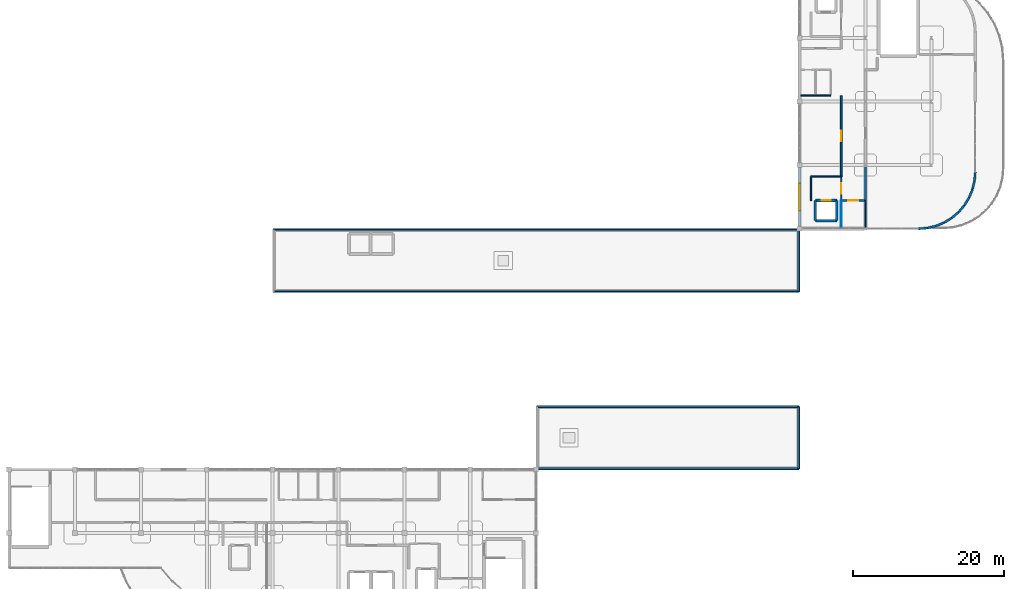
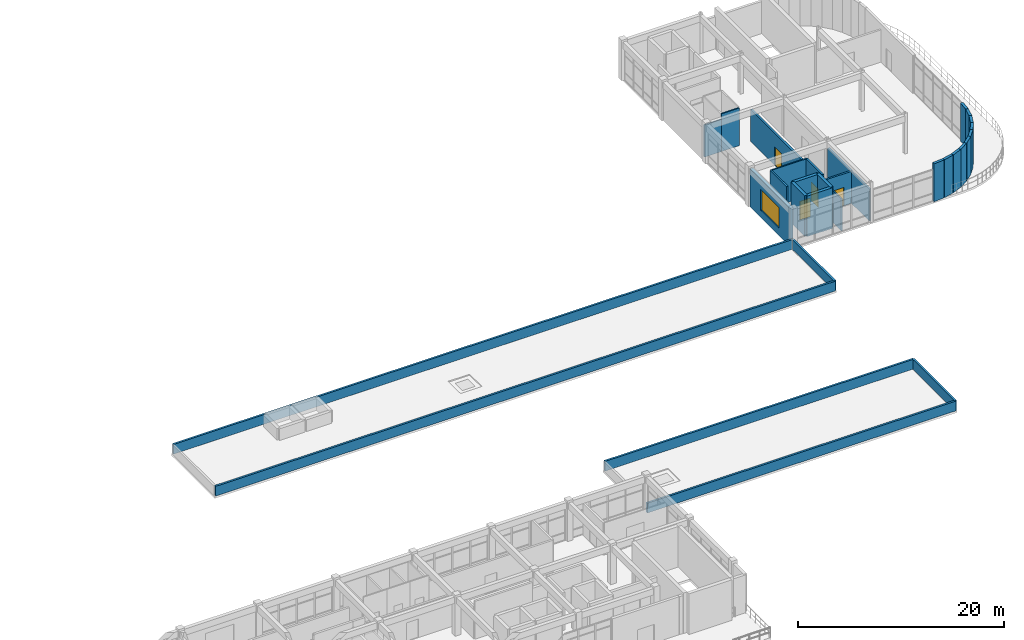
# One storey, part 38 of 41: 31 walls, 4 doors, 1 window, 5 openings.
"""IFC4 building model written with IfcOpenShell, lengths in metres."""

from ifc_helpers import new_model, si_unit, derived_unit, direction, frame, frame_2d, origin, place, context, subcontext, project, spatial, rectangle, extrude, material, layer, layer_set, type_object, element, fill, save


model = new_model("IFC4")

# Units and contexts
model_context = context("Model", 3, precision=1e-05, world=origin(), true_north=direction((0.0, 1.0)))
body_context = subcontext(model_context, "Body", "Model", "MODEL_VIEW")
ifc_project = project(units=[si_unit("LENGTHUNIT", "METRE"), si_unit("AREAUNIT", "SQUARE_METRE"), si_unit("VOLUMEUNIT", "CUBIC_METRE"), si_unit("PLANEANGLEUNIT", "RADIAN"), si_unit("MASSUNIT", "GRAM", prefix="KILO"), derived_unit("THERMALTRANSMITTANCEUNIT", [(si_unit("MASSUNIT", "GRAM", prefix="KILO"), 1), (si_unit("TIMEUNIT", "SECOND"), -3), (si_unit("THERMODYNAMICTEMPERATUREUNIT", "KELVIN"), -1)])], contexts=[model_context])

# Site, building, storey
site_placement = place(None, origin())
site = spatial("IfcSite", under=ifc_project, at=site_placement, CompositionType="ELEMENT")
building_placement = place(site_placement, origin())
building = spatial("IfcBuilding", under=site, at=building_placement, Name="Qinzheling Arcade Emporium", CompositionType="ELEMENT")
storey_placement = place(building_placement, frame((0.0, 0.0, 36.300048828125)))
storey = spatial("IfcBuildingStorey", under=building, at=storey_placement, Name="L08", CompositionType="ELEMENT", Elevation=36.300048828125)

# Wall, opening, door
ifc_material_1 = material(Name="Double-stud acoustic gypsum board partition")
ifc_layer_1 = layer(ifc_material_1, 0.215087890625, Name="Double-stud acoustic gypsum board partition")
ifc_layer_set_1 = layer_set([ifc_layer_1], Name="Double-stud acoustic gypsum board partition")
wall_type_1 = type_object("IfcWallType", Name="Acoustic Corridor Partition Wall 215", PredefinedType="PARTITIONING", material=ifc_layer_set_1)
wall_1_placement = place(storey_placement, frame((109.89990234375, 80.699951171875, 0.0), z_axis=(0.0, 0.0, 1.0), x_axis=(0.0, -1.0, 0.0)))
wall_1 = element("IfcWall", 1, at=wall_1_placement, inside=storey, type_object=wall_type_1, Name="Interior Wall WL-L08-INT-0977", PredefinedType="PARTITIONING", context=body_context, shape_type="SweptSolid", body=[
    extrude(rectangle(XDim=3.169921875, YDim=0.215087890625, at=frame_2d((1.5849609375, 0.0))), origin(), (0.0, 0.0, 1.0), 4.4599609375),
])
opening_1_placement = place(wall_1_placement, frame((0.909912109375, 0.0, 0.0)))
opening_1 = element("IfcOpeningElement", 2, at=opening_1_placement, cuts=wall_1, Name="Opening FD05", PredefinedType="OPENING", context=body_context, shape_type="SweptSolid", body=[
    extrude(rectangle(XDim=1.35009765625, YDim=2.199951171875, at=frame_2d((0.675048828125, 1.10009765625))), frame((0.0, 0.11767578125, 0.0), z_axis=(0.0, -1.0, 0.0), x_axis=(1.0, 0.0, 0.0)), (0.0, 0.0, 1.0), 0.235107421875),
])
ifc_material_2 = material(Name="Class B fire-rated stainless-clad door")
door_type_1 = type_object("IfcDoorType", Name="Kitchen Fire-Rated Service Door 1350x2200", OperationType="NOTDEFINED", PredefinedType="DOOR", material=ifc_material_2)
door_1_placement = place(opening_1_placement, origin())
door_1 = element("IfcDoor", 3, at=door_1_placement, inside=storey, type_object=door_type_1, Name="FD05 Interior Door DR-L08-INT-0288", OperationType="SINGLE_SWING_RIGHT", OverallHeight=2.199951171875, OverallWidth=1.35009765625, PredefinedType="DOOR", context=body_context, shape_type="SweptSolid", body=[
    extrude(rectangle(XDim=1.35009765625, YDim=2.199951171875, at=frame_2d((0.675048828125, 1.10009765625))), frame((0.0, 0.02490234375, 0.0), z_axis=(0.0, -1.0, 0.0), x_axis=(1.0, 0.0, 0.0)), (0.0, 0.0, 1.0), 0.050048828125),
])
fill(opening_1, door_1)

wall_2_placement = place(storey_placement, frame((109.89990234375, 80.699951171875, 0.0), z_axis=(0.0, 0.0, 1.0), x_axis=(0.0, 1.0, 0.0)))
wall_2 = element("IfcWall", 4, at=wall_2_placement, inside=storey, type_object=wall_type_1, Name="Interior Wall WL-L08-INT-0991", PredefinedType="PARTITIONING", context=body_context, shape_type="SweptSolid", body=[
    extrude(rectangle(XDim=10.699951171875, YDim=0.215087890625, at=frame_2d((5.35009765625, 0.0))), origin(), (0.0, 0.0, 1.0), 3.800048828125),
])
opening_2_placement = place(wall_2_placement, frame((4.675048828125, 0.0, 0.0)))
opening_2 = element("IfcOpeningElement", 5, at=opening_2_placement, cuts=wall_2, Name="Opening FD05", PredefinedType="OPENING", context=body_context, shape_type="SweptSolid", body=[
    extrude(rectangle(XDim=1.35009765625, YDim=2.199951171875, at=frame_2d((0.675048828125, 1.10009765625))), frame((0.0, 0.11767578125, 0.0), z_axis=(0.0, -1.0, 0.0), x_axis=(1.0, 0.0, 0.0)), (0.0, 0.0, 1.0), 0.235107421875),
])
door_2_placement = place(opening_2_placement, origin())
door_2 = element("IfcDoor", 6, at=door_2_placement, inside=storey, type_object=door_type_1, Name="FD05 Interior Door DR-L08-INT-0300", OperationType="SINGLE_SWING_LEFT", OverallHeight=2.199951171875, OverallWidth=1.35009765625, PredefinedType="DOOR", context=body_context, shape_type="SweptSolid", body=[
    extrude(rectangle(XDim=1.35009765625, YDim=2.199951171875, at=frame_2d((0.675048828125, 1.10009765625))), frame((0.0, 0.02490234375, 0.0), z_axis=(0.0, -1.0, 0.0), x_axis=(1.0, 0.0, 0.0)), (0.0, 0.0, 1.0), 0.050048828125),
])
fill(opening_2, door_2)

# Wall
wall_3_placement = place(storey_placement, frame((113.10009765625, 81.989990234375, 0.0), z_axis=(0.0, 0.0, 1.0), x_axis=(0.0, -1.0, 0.0)))
element("IfcWall", 7, at=wall_3_placement, inside=storey, type_object=wall_type_1, Name="Interior Wall WL-L08-INT-0996", PredefinedType="PARTITIONING", context=body_context, shape_type="SweptSolid", body=[
    extrude(rectangle(XDim=4.4599609375, YDim=0.215087890625, at=frame_2d((2.22998046875, 0.0))), origin(), (0.0, 0.0, 1.0), 3.800048828125),
])

# Wall, opening, door
wall_4_placement = place(storey_placement, frame((113.10009765625, 77.530029296875, 0.0), z_axis=(0.0, 0.0, 1.0), x_axis=(-1.0, 0.0, 0.0)))
wall_4 = element("IfcWall", 8, at=wall_4_placement, inside=storey, type_object=wall_type_1, Name="Interior Wall WL-L08-INT-0997", PredefinedType="PARTITIONING", context=body_context, shape_type="SweptSolid", body=[
    extrude(rectangle(XDim=3.2001953125, YDim=0.215087890625, at=frame_2d((1.60009765625, 0.0))), origin(), (0.0, 0.0, 1.0), 3.800048828125),
])
opening_3_placement = place(wall_4_placement, frame((0.925048828125, 0.0, 0.0)))
opening_3 = element("IfcOpeningElement", 9, at=opening_3_placement, cuts=wall_4, Name="Opening FD05", PredefinedType="OPENING", context=body_context, shape_type="SweptSolid", body=[
    extrude(rectangle(XDim=1.35009765625, YDim=2.199951171875, at=frame_2d((0.675048828125, 1.10009765625))), frame((0.0, 0.11767578125, 0.0), z_axis=(0.0, -1.0, 0.0), x_axis=(1.0, 0.0, 0.0)), (0.0, 0.0, 1.0), 0.235107421875),
])
door_3_placement = place(opening_3_placement, origin())
door_3 = element("IfcDoor", 10, at=door_3_placement, inside=storey, type_object=door_type_1, Name="FD05 Interior Door DR-L08-INT-0303", OperationType="SINGLE_SWING_RIGHT", OverallHeight=2.199951171875, OverallWidth=1.35009765625, PredefinedType="DOOR", context=body_context, shape_type="SweptSolid", body=[
    extrude(rectangle(XDim=1.35009765625, YDim=2.199951171875, at=frame_2d((0.675048828125, 1.10009765625))), frame((0.0, 0.02490234375, 0.0), z_axis=(0.0, -1.0, 0.0), x_axis=(1.0, 0.0, 0.0)), (0.0, 0.0, 1.0), 0.050048828125),
])
fill(opening_3, door_3)

# Wall, opening, window
ifc_material_3 = material(Name="Fluted granite ashlar on Concrete C40", Category="masonry")
ifc_layer_2 = layer(ifc_material_3, 0.35009765625, Name="Fluted granite ashlar on Concrete C40", Category="masonry")
ifc_layer_set_2 = layer_set([ifc_layer_2], Name="Fluted granite ashlar on Concrete C40")
wall_type_2 = type_object("IfcWallType", Name="Fluted Granite Logistics Wall 350", PredefinedType="STANDARD", material=ifc_layer_set_2)
wall_5_placement = place(storey_placement, frame((104.39990234375, 74.126953125, 0.0), z_axis=(0.0, 0.0, 1.0), x_axis=(0.0, 1.0, 0.0)))
wall_5 = element("IfcWall", 11, at=wall_5_placement, inside=storey, type_object=wall_type_2, Name="Exterior Wall WL-L08-EW-0381", PredefinedType="STANDARD", context=body_context, shape_type="SweptSolid", body=[
    extrude(rectangle(XDim=7.74609375, YDim=0.35009765625, at=frame_2d((3.873046875, 0.0))), origin(), (0.0, 0.0, 1.0), 4.489990234375),
])
opening_4_placement = place(wall_5_placement, frame((2.072998046875, 0.0, 0.85009765625)))
opening_4 = element("IfcOpeningElement", 12, at=opening_4_placement, cuts=wall_5, Name="Opening WN25", PredefinedType="OPENING", context=body_context, shape_type="SweptSolid", body=[
    extrude(rectangle(XDim=3.60009765625, YDim=2.449951171875, at=frame_2d((1.800048828125, 1.22509765625))), frame((0.0, 0.18505859375, 0.0), z_axis=(0.0, -1.0, 0.0), x_axis=(1.0, 0.0, 0.0)), (0.0, 0.0, 1.0), 0.3701171875),
])
ifc_material_4 = material(Name="Thermally broken aluminium frame with solar-control double glazing", Category="aluminium")
window_type = type_object("IfcWindowType", Name="Chicago Tripartite Window 3600x2450", PartitioningType="TRIPLE_PANEL_VERTICAL", PredefinedType="WINDOW", material=ifc_material_4)
window_placement = place(opening_4_placement, origin())
window = element("IfcWindow", 13, at=window_placement, inside=storey, type_object=window_type, Name="WN25 Window WN-L08-0088", OverallHeight=2.449951171875, OverallWidth=3.60009765625, PartitioningType="TRIPLE_PANEL_VERTICAL", PredefinedType="WINDOW", context=body_context, shape_type="SweptSolid", body=[
    extrude(rectangle(XDim=3.60009765625, YDim=2.449951171875, at=frame_2d((1.800048828125, 1.22509765625))), frame((0.0, 0.030029296875, 0.0), z_axis=(0.0, -1.0, 0.0), x_axis=(1.0, 0.0, 0.0)), (0.0, 0.0, 1.0), 0.06005859375),
])
fill(opening_4, window)

# Walls
ifc_material_5 = material(Name="Buff glazed terracotta insulated wall", Category="masonry")
ifc_layer_3 = layer(ifc_material_5, 0.2900390625, Name="Buff glazed terracotta insulated wall", Category="masonry")
ifc_layer_set_3 = layer_set([ifc_layer_3], Name="Buff glazed terracotta insulated wall")
wall_type_3 = type_object("IfcWallType", Name="Office Bar Terracotta Wall 290", PredefinedType="STANDARD", material=ifc_layer_set_3)
wall_6_placement = place(storey_placement, frame((127.60009765625, 81.300048828125, 0.0), z_axis=(0.0, 0.0, 1.0), x_axis=(-0.078219548677, -0.996936157537, 0.0)))
element("IfcWall", 14, at=wall_6_placement, inside=storey, type_object=wall_type_3, Name="Exterior Wall WL-L08-EW-0371", PredefinedType="STANDARD", context=body_context, shape_type="SweptSolid", body=[
    extrude(rectangle(XDim=1.1767578125, YDim=0.2900390625, at=frame_2d((0.58837890625, 0.0))), origin(), (0.0, 0.0, 1.0), 4.489990234375),
])
wall_7_placement = place(storey_placement, frame((127.508056640625, 80.126953125, 0.0), z_axis=(0.0, 0.0, 1.0), x_axis=(-0.233647380769, -0.972321398232, 0.0)))
element("IfcWall", 15, at=wall_7_placement, inside=storey, type_object=wall_type_3, Name="Exterior Wall WL-L08-EW-0372", PredefinedType="STANDARD", context=body_context, shape_type="SweptSolid", body=[
    extrude(rectangle(XDim=1.177734375, YDim=0.2900390625, at=frame_2d((0.5888671875, 0.0))), origin(), (0.0, 0.0, 1.0), 4.489990234375),
])
wall_8_placement = place(storey_placement, frame((127.23291015625, 78.98193359375, 0.0), z_axis=(0.0, 0.0, 1.0), x_axis=(-0.382492324111, -0.923958668987, 0.0)))
element("IfcWall", 16, at=wall_8_placement, inside=storey, type_object=wall_type_3, Name="Exterior Wall WL-L08-EW-0373", PredefinedType="STANDARD", context=body_context, shape_type="SweptSolid", body=[
    extrude(rectangle(XDim=1.17626953125, YDim=0.2900390625, at=frame_2d((0.588134765625, 0.0))), origin(), (0.0, 0.0, 1.0), 4.489990234375),
])
wall_9_placement = place(storey_placement, frame((126.782958984375, 77.89501953125, 0.0), z_axis=(0.0, 0.0, 1.0), x_axis=(-0.522742095508, -0.852490880646, 0.0)))
element("IfcWall", 17, at=wall_9_placement, inside=storey, type_object=wall_type_3, Name="Exterior Wall WL-L08-EW-0374", PredefinedType="STANDARD", context=body_context, shape_type="SweptSolid", body=[
    extrude(rectangle(XDim=1.176513671875, YDim=0.2900390625, at=frame_2d((0.58837890625, 0.0))), origin(), (0.0, 0.0, 1.0), 4.489990234375),
])
wall_10_placement = place(storey_placement, frame((126.16796875, 76.89208984375, 0.0), z_axis=(0.0, 0.0, 1.0), x_axis=(-0.649680654867, -0.760207239305, 0.0)))
element("IfcWall", 18, at=wall_10_placement, inside=storey, type_object=wall_type_3, Name="Exterior Wall WL-L08-EW-0375", PredefinedType="STANDARD", context=body_context, shape_type="SweptSolid", body=[
    extrude(rectangle(XDim=1.17724609375, YDim=0.2900390625, at=frame_2d((0.588623046875, 0.0))), origin(), (0.0, 0.0, 1.0), 4.489990234375),
])
wall_11_placement = place(storey_placement, frame((125.403076171875, 75.9970703125, 0.0), z_axis=(0.0, 0.0, 1.0), x_axis=(-0.760104826794, -0.649800471133, 0.0)))
element("IfcWall", 19, at=wall_11_placement, inside=storey, type_object=wall_type_3, Name="Exterior Wall WL-L08-EW-0376", PredefinedType="STANDARD", context=body_context, shape_type="SweptSolid", body=[
    extrude(rectangle(XDim=1.177490234375, YDim=0.2900390625, at=frame_2d((0.5888671875, 0.0))), origin(), (0.0, 0.0, 1.0), 4.489990234375),
])
wall_12_placement = place(storey_placement, frame((124.508056640625, 75.23193359375, 0.0), z_axis=(0.0, 0.0, 1.0), x_axis=(-0.852547572286, -0.522649631197, 0.0)))
element("IfcWall", 20, at=wall_12_placement, inside=storey, type_object=wall_type_3, Name="Exterior Wall WL-L08-EW-0377", PredefinedType="STANDARD", context=body_context, shape_type="SweptSolid", body=[
    extrude(rectangle(XDim=1.1767578125, YDim=0.2900390625, at=frame_2d((0.58837890625, 0.0))), origin(), (0.0, 0.0, 1.0), 4.489990234375),
])
wall_13_placement = place(storey_placement, frame((123.5048828125, 74.616943359375, 0.0), z_axis=(0.0, 0.0, 1.0), x_axis=(-0.923958668987, -0.382492324111, 0.0)))
element("IfcWall", 21, at=wall_13_placement, inside=storey, type_object=wall_type_3, Name="Exterior Wall WL-L08-EW-0378", PredefinedType="STANDARD", context=body_context, shape_type="SweptSolid", body=[
    extrude(rectangle(XDim=1.17626953125, YDim=0.2900390625, at=frame_2d((0.588134765625, 0.0))), origin(), (0.0, 0.0, 1.0), 4.489990234375),
])
wall_14_placement = place(storey_placement, frame((122.41796875, 74.1669921875, 0.0), z_axis=(0.0, 0.0, 1.0), x_axis=(-0.97236847933, -0.233451366253, 0.0)))
element("IfcWall", 22, at=wall_14_placement, inside=storey, type_object=wall_type_3, Name="Exterior Wall WL-L08-EW-0379", PredefinedType="STANDARD", context=body_context, shape_type="SweptSolid", body=[
    extrude(rectangle(XDim=1.177490234375, YDim=0.2900390625, at=frame_2d((0.5888671875, 0.0))), origin(), (0.0, 0.0, 1.0), 4.489990234375),
])
wall_15_placement = place(storey_placement, frame((121.27294921875, 73.89208984375, 0.0), z_axis=(0.0, 0.0, 1.0), x_axis=(-0.996934887725, -0.078235731197, 0.0)))
element("IfcWall", 23, at=wall_15_placement, inside=storey, type_object=wall_type_3, Name="Exterior Wall WL-L08-EW-0380", PredefinedType="STANDARD", context=body_context, shape_type="SweptSolid", body=[
    extrude(rectangle(XDim=1.176513671875, YDim=0.2900390625, at=frame_2d((0.58837890625, 0.0))), origin(), (0.0, 0.0, 1.0), 4.489990234375),
])
ifc_material_6 = material(Name="Moisture-resistant shaftliner gypsum board")
ifc_layer_4 = layer(ifc_material_6, 0.155029296875, Name="Moisture-resistant shaftliner gypsum board")
ifc_layer_set_4 = layer_set([ifc_layer_4], Name="Moisture-resistant shaftliner gypsum board")
wall_type_4 = type_object("IfcWallType", Name="Plumbing and Service Riser Wall 155", PredefinedType="MOVABLE", material=ifc_layer_set_4)
wall_16_placement = place(storey_placement, frame((106.5, 91.39990234375, 0.0), z_axis=(0.0, 0.0, 1.0), x_axis=(-1.0, 0.0, 0.0)))
element("IfcWall", 24, at=wall_16_placement, inside=storey, type_object=wall_type_4, Name="Interior Wall WL-L08-INT-0988", PredefinedType="MOVABLE", context=body_context, shape_type="SweptSolid", body=[
    extrude(rectangle(XDim=1.919921875, YDim=0.155029296875, at=frame_2d((0.9599609375, 0.0))), origin(), (0.0, 0.0, 1.0), 3.800048828125),
])

# Wall, opening, door
ifc_material_7 = material(Name="Concrete C40", Category="concrete")
ifc_layer_5 = layer(ifc_material_7, 0.35009765625, Name="Concrete C40", Category="concrete")
ifc_layer_set_5 = layer_set([ifc_layer_5], Name="Concrete C40")
wall_type_5 = type_object("IfcWallType", Name="RC Lift Shaft Shear Wall 350 C40", PredefinedType="SHEAR", material=ifc_layer_set_5)
wall_17_placement = place(storey_placement, frame((106.47509765625, 77.52490234375, 0.0), z_axis=(0.0, 0.0, 1.0), x_axis=(1.0, 0.0, 0.0)))
wall_17 = element("IfcWall", 25, at=wall_17_placement, inside=storey, type_object=wall_type_5, Name="Lift Shaft Wall WL-L08-LFT-LP06-N", PredefinedType="SHEAR", context=body_context, shape_type="SweptSolid", body=[
    extrude(rectangle(XDim=2.849853515625, YDim=0.35009765625, at=frame_2d((1.4248046875, 0.0))), origin(), (0.0, 0.0, 1.0), 4.800048828125),
])
opening_5_placement = place(wall_17_placement, frame((0.824951171875, 0.0, 0.0)))
opening_5 = element("IfcOpeningElement", 26, at=opening_5_placement, cuts=wall_17, Name="Opening LD02", PredefinedType="OPENING", context=body_context, shape_type="SweptSolid", body=[
    extrude(rectangle(XDim=1.199951171875, YDim=2.199951171875, at=frame_2d((0.60009765625, 1.10009765625))), frame((0.0, 0.18505859375, 0.0), z_axis=(0.0, -1.0, 0.0), x_axis=(1.0, 0.0, 0.0)), (0.0, 0.0, 1.0), 0.3701171875),
])
ifc_material_8 = material(Name="Brushed bronze stainless sliding lift door")
door_type_2 = type_object("IfcDoorType", Name="Passenger Lift Sliding Landing Door 1200x2200", OperationType="DOUBLE_DOOR_SLIDING", PredefinedType="DOOR", material=ifc_material_8)
door_4_placement = place(opening_5_placement, origin())
door_4 = element("IfcDoor", 27, at=door_4_placement, inside=storey, type_object=door_type_2, Name="LD02 Lift Landing Door LP06 L08", OperationType="DOUBLE_DOOR_SLIDING", OverallHeight=2.199951171875, OverallWidth=1.199951171875, PredefinedType="DOOR", context=body_context, shape_type="SweptSolid", body=[
    extrude(rectangle(XDim=1.199951171875, YDim=2.199951171875, at=frame_2d((0.60009765625, 1.10009765625))), frame((0.0, 0.02490234375, 0.0), z_axis=(0.0, -1.0, 0.0), x_axis=(1.0, 0.0, 0.0)), (0.0, 0.0, 1.0), 0.050048828125),
])
fill(opening_5, door_4)

# Walls
wall_18_placement = place(storey_placement, frame((109.324951171875, 74.875, 0.0), z_axis=(0.0, 0.0, 1.0), x_axis=(-1.0, 0.0, 0.0)))
element("IfcWall", 28, at=wall_18_placement, inside=storey, type_object=wall_type_5, Name="Lift Shaft Wall WL-L08-LFT-LP06-S", PredefinedType="SHEAR", context=body_context, shape_type="SweptSolid", body=[
    extrude(rectangle(XDim=2.849853515625, YDim=0.35009765625, at=frame_2d((1.4248046875, 0.0))), origin(), (0.0, 0.0, 1.0), 4.800048828125),
])
for number, where, z_axis, x_axis, name in (
    (29, (106.47509765625, 74.875, 0.0), (0.0, 0.0, 1.0), (0.0, 1.0, 0.0), "Lift Shaft Wall WL-L08-LFT-LP06-W"),
    (30, (109.324951171875, 77.52490234375, 0.0), (0.0, 0.0, 1.0), (0.0, -1.0, 0.0), "Lift Shaft Wall WL-L08-LFT-LP06-E"),
):
    element("IfcWall", number, at=place(storey_placement, frame(where, z_axis=z_axis, x_axis=x_axis)), inside=storey, type_object=wall_type_5, Name=name, PredefinedType="SHEAR", context=body_context, shape_type="SweptSolid", body=[
        extrude(rectangle(XDim=2.64990234375, YDim=0.35009765625, at=frame_2d((1.324951171875, 0.0))), origin(), (0.0, 0.0, 1.0), 4.800048828125),
    ])
ifc_material_9 = material(Name="Double-board salon partition")
ifc_layer_6 = layer(ifc_material_9, 0.175048828125, Name="Double-board salon partition")
ifc_layer_set_6 = layer_set([ifc_layer_6], Name="Double-board salon partition")
wall_type_6 = type_object("IfcWallType", Name="Salon Acoustic Partition Wall 175", PredefinedType="PARTITIONING", material=ifc_layer_set_6)
wall_19_placement = place(storey_placement, frame((105.89990234375, 77.530029296875, 0.0), z_axis=(0.0, 0.0, 1.0), x_axis=(0.0, 1.0, 0.0)))
element("IfcWall", 31, at=wall_19_placement, inside=storey, type_object=wall_type_6, Name="Interior Wall WL-L08-INT-0978", PredefinedType="PARTITIONING", context=body_context, shape_type="SweptSolid", body=[
    extrude(rectangle(XDim=3.169921875, YDim=0.175048828125, at=frame_2d((1.5849609375, 0.0))), origin(), (0.0, 0.0, 1.0), 4.4599609375),
])
ifc_material_10 = material(Name="Steel-stud showroom partition", Category="steel")
ifc_layer_7 = layer(ifc_material_10, 0.159912109375, Name="Steel-stud showroom partition", Category="steel")
ifc_layer_set_7 = layer_set([ifc_layer_7], Name="Steel-stud showroom partition")
wall_type_7 = type_object("IfcWallType", Name="Showroom Partition Wall 160", PredefinedType="PARTITIONING", material=ifc_layer_set_7)
wall_20_placement = place(storey_placement, frame((105.89990234375, 80.699951171875, 0.0), z_axis=(0.0, 0.0, 1.0), x_axis=(1.0, 0.0, 0.0)))
element("IfcWall", 32, at=wall_20_placement, inside=storey, type_object=wall_type_7, Name="Interior Wall WL-L08-INT-0979", PredefinedType="PARTITIONING", context=body_context, shape_type="SweptSolid", body=[
    extrude(rectangle(XDim=4.0, YDim=0.159912109375, at=frame_2d((2.0, 0.0))), origin(), (0.0, 0.0, 1.0), 4.4599609375),
])
wall_21_placement = place(storey_placement, frame((113.10009765625, 73.9599609375, 0.0), z_axis=(0.0, 0.0, 1.0), x_axis=(0.0, 1.0, 0.0)))
element("IfcWall", 33, at=wall_21_placement, inside=storey, type_object=wall_type_7, Name="Interior Wall WL-L08-INT-1017", PredefinedType="PARTITIONING", context=body_context, shape_type="SweptSolid", body=[
    extrude(rectangle(XDim=3.570068359375, YDim=0.159912109375, at=frame_2d((1.78515625, 0.0))), origin(), (0.0, 0.0, 1.0), 3.800048828125),
])
ifc_material_11 = material(Name="Galvanised steel-stud stockroom partition", Category="steel")
ifc_layer_8 = layer(ifc_material_11, 0.114990234375, Name="Galvanised steel-stud stockroom partition", Category="steel")
ifc_layer_set_8 = layer_set([ifc_layer_8], Name="Galvanised steel-stud stockroom partition")
wall_type_8 = type_object("IfcWallType", Name="Storage Cage Partition Wall 115", PredefinedType="PARTITIONING", material=ifc_layer_set_8)
wall_22_placement = place(storey_placement, frame((109.89990234375, 77.530029296875, 0.0), z_axis=(0.0, 0.0, 1.0), x_axis=(0.0, -1.0, 0.0)))
element("IfcWall", 34, at=wall_22_placement, inside=storey, type_object=wall_type_8, Name="Interior Wall WL-L08-INT-1015", PredefinedType="PARTITIONING", context=body_context, shape_type="SweptSolid", body=[
    extrude(rectangle(XDim=3.630126953125, YDim=0.114990234375, at=frame_2d((1.81494140625, 0.0))), origin(), (0.0, 0.0, 1.0), 3.800048828125),
])
ifc_material_12 = material(Name="Precast concrete C40 with terracotta coping", Category="masonry")
ifc_layer_9 = layer(ifc_material_12, 0.219970703125, Name="Precast concrete C40 with terracotta coping", Category="masonry")
ifc_layer_set_9 = layer_set([ifc_layer_9], Name="Precast concrete C40 with terracotta coping")
wall_type_9 = type_object("IfcWallType", Name="Terracotta Coping Roof Parapet 220", PredefinedType="PARAPET", material=ifc_layer_set_9)
for number, where, z_axis, x_axis, name in (
    (35, (104.2900390625, 42.110107421875, 0.0), (0.0, 0.0, 1.0), (-1.0, 0.0, 0.0), "Roof Parapet WL-L08-PW-059"),
    (36, (69.7099609375, 50.2900390625, 0.0), (0.0, 0.0, 1.0), (1.0, 0.0, 0.0), "Roof Parapet WL-L08-PW-061"),
):
    element("IfcWall", number, at=place(storey_placement, frame(where, z_axis=z_axis, x_axis=x_axis)), inside=storey, type_object=wall_type_9, Name=name, PredefinedType="PARAPET", context=body_context, shape_type="SweptSolid", body=[
        extrude(rectangle(XDim=34.580078125, YDim=0.219970703125, at=frame_2d((17.2900390625, 0.0))), origin(), (0.0, 0.0, 1.0), 1.14990234375),
    ])
wall_23_placement = place(storey_placement, frame((104.2900390625, 50.2900390625, 0.0), z_axis=(0.0, 0.0, 1.0), x_axis=(0.0, -1.0, 0.0)))
element("IfcWall", 37, at=wall_23_placement, inside=storey, type_object=wall_type_9, Name="Roof Parapet WL-L08-PW-062", PredefinedType="PARAPET", context=body_context, shape_type="SweptSolid", body=[
    extrude(rectangle(XDim=8.179931640625, YDim=0.219970703125, at=frame_2d((4.08984375, 0.0))), origin(), (0.0, 0.0, 1.0), 1.14990234375),
])
for number, where, z_axis, x_axis, name in (
    (38, (104.2900390625, 65.510009765625, 0.0), (0.0, 0.0, 1.0), (-1.0, 0.0, 0.0), "Roof Parapet WL-L08-PW-063"),
    (39, (34.909912109375, 73.68994140625, 0.0), (0.0, 0.0, 1.0), (1.0, 0.0, 0.0), "Roof Parapet WL-L08-PW-065"),
):
    element("IfcWall", number, at=place(storey_placement, frame(where, z_axis=z_axis, x_axis=x_axis)), inside=storey, type_object=wall_type_9, Name=name, PredefinedType="PARAPET", context=body_context, shape_type="SweptSolid", body=[
        extrude(rectangle(XDim=69.380126953125, YDim=0.219970703125, at=frame_2d((34.68994140625, 0.0))), origin(), (0.0, 0.0, 1.0), 1.14990234375),
    ])
wall_24_placement = place(storey_placement, frame((104.2900390625, 73.68994140625, 0.0), z_axis=(0.0, 0.0, 1.0), x_axis=(0.0, -1.0, 0.0)))
element("IfcWall", 40, at=wall_24_placement, inside=storey, type_object=wall_type_9, Name="Roof Parapet WL-L08-PW-066", PredefinedType="PARAPET", context=body_context, shape_type="SweptSolid", body=[
    extrude(rectangle(XDim=8.179931640625, YDim=0.219970703125, at=frame_2d((4.08984375, 0.0))), origin(), (0.0, 0.0, 1.0), 1.14990234375),
])
ifc_material_13 = material(Name="Moisture-resistant cement-board WC partition")
ifc_layer_10 = layer(ifc_material_13, 0.14501953125, Name="Moisture-resistant cement-board WC partition")
ifc_layer_set_10 = layer_set([ifc_layer_10], Name="Moisture-resistant cement-board WC partition")
wall_type_10 = type_object("IfcWallType", Name="Washroom Moisture Partition Wall 145", PredefinedType="PARTITIONING", material=ifc_layer_set_10)
wall_25_placement = place(storey_placement, frame((108.5, 91.39990234375, 0.0), z_axis=(0.0, 0.0, 1.0), x_axis=(-1.0, 0.0, 0.0)))
element("IfcWall", 41, at=wall_25_placement, inside=storey, type_object=wall_type_10, Name="Interior Wall WL-L08-INT-0990", PredefinedType="PARTITIONING", context=body_context, shape_type="SweptSolid", body=[
    extrude(rectangle(XDim=2.0, YDim=0.14501953125, at=frame_2d((1.0, 0.0))), origin(), (0.0, 0.0, 1.0), 4.4599609375),
])

save(model, "model.ifc")
